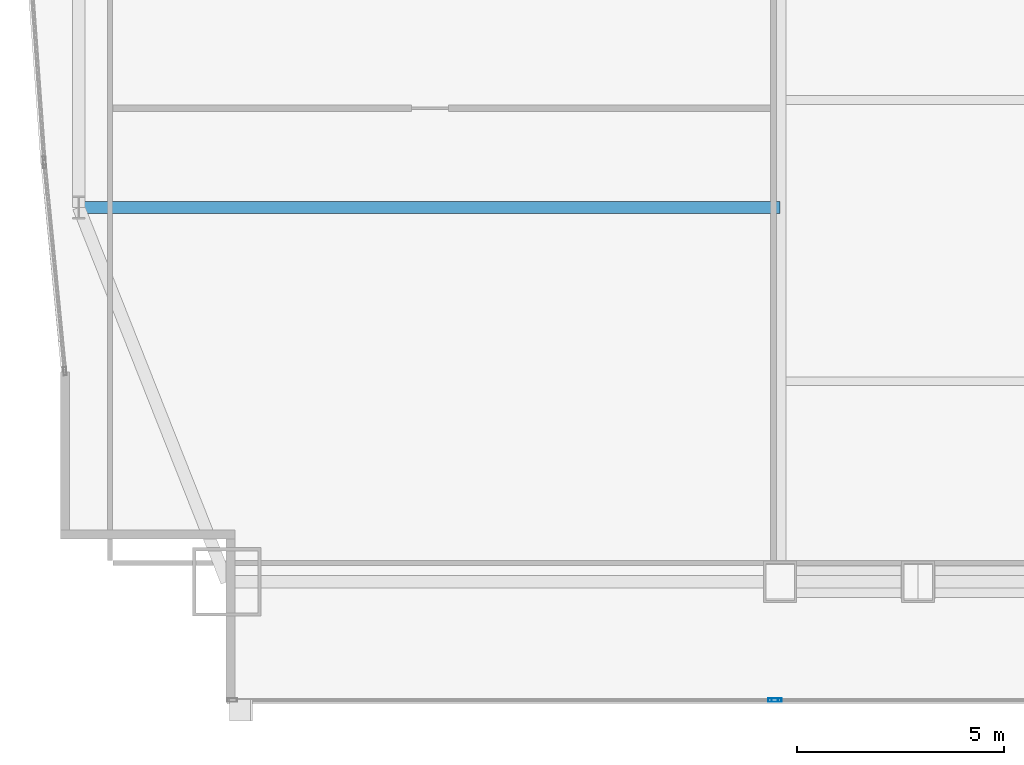
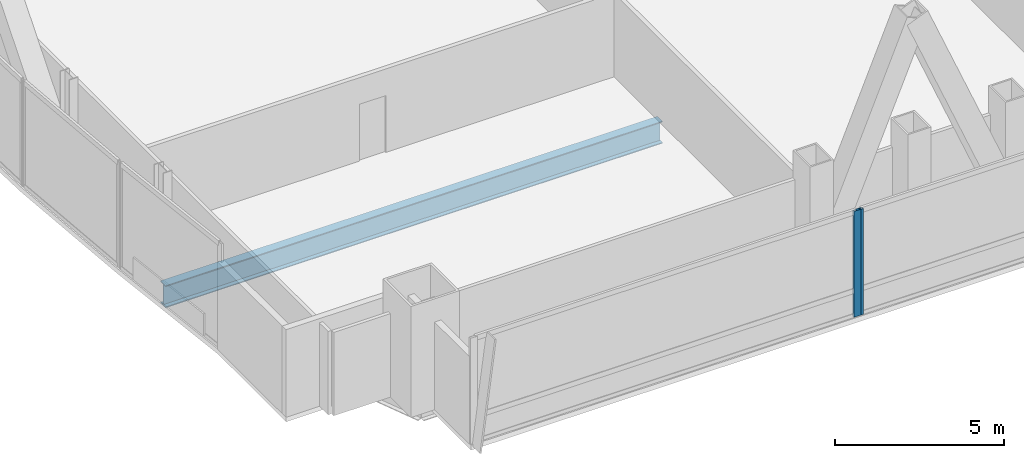
# One storey, part 7 of 33: 2 members, 1 beam, 2 elements without a shape of their own.
"""IFC4 building model written with IfcOpenShell, lengths in metres."""

from ifc_helpers import new_model, si_unit, direction, frame, origin, origin_2d, place, context, subcontext, project, spatial, hollow_rectangle, i_section, extrude, material, material_profile, profile_set, type_object, element, aggregate, save


model = new_model("IFC4")

# Units and contexts
model_context = context("Model", 3, precision=1e-05, world=origin(), true_north=direction((0.0, 1.0)))
body_context = subcontext(model_context, "Body", "Model", "MODEL_VIEW")
ifc_project = project(units=[si_unit("LENGTHUNIT", "METRE"), si_unit("AREAUNIT", "SQUARE_METRE"), si_unit("VOLUMEUNIT", "CUBIC_METRE"), si_unit("PLANEANGLEUNIT", "RADIAN"), si_unit("MASSUNIT", "GRAM", prefix="KILO")], contexts=[model_context])

# Site, building, storey
site_placement = place(None, origin())
site = spatial("IfcSite", under=ifc_project, at=site_placement, CompositionType="ELEMENT")
building_placement = place(site_placement, origin())
building = spatial("IfcBuilding", under=site, at=building_placement, Name="Khoronbel Lancet Exchange", CompositionType="ELEMENT")
storey_placement = place(building_placement, frame((0.0, 0.0, 73.800048828125)))
storey = spatial("IfcBuildingStorey", under=building, at=storey_placement, Name="L17", CompositionType="ELEMENT", Elevation=73.800048828125)

# Beam
ifc_material_1 = material(Name="Steel S355", Category="steel")
ifc_material_profile_1 = material_profile(ifc_material_1, i_section(OverallWidth=0.300048828125, OverallDepth=0.800048828125, WebThickness=0.017578125, FlangeThickness=0.032958984375, at=origin_2d()), Name="HEB 800")
ifc_profile_set_1 = profile_set([ifc_material_profile_1], Name="Steel S355")
beam_type = type_object("IfcBeamType", Name="BM-BG2", PredefinedType="BEAM", material=ifc_profile_set_1)
beam_placement = place(storey_placement, frame((1.27001953125, 19.199951171875, -0.580078125), z_axis=(1.0, 0.0, 0.0), x_axis=(0.0, 1.0, 0.0)))
element("IfcBeam", 1, at=beam_placement, inside=storey, type_object=beam_type, Name="Level L17 west lens tie girder LG1W", PredefinedType="BEAM", context=body_context, shape_type="SweptSolid", body=[
    extrude(i_section(OverallWidth=0.300048828125, OverallDepth=0.800048828125, WebThickness=0.017578125, FlangeThickness=0.032958984375, at=origin_2d()), origin(), (0.0, 0.0, 1.0), 16.955078125),
])

# Curtain wall, member
ifc_material_2 = material(Name="Low-E Solar Control Insulating Glass", Category="glass")
curtain_wall_type = type_object("IfcCurtainWallType", Name="CW-1", PredefinedType="NOTDEFINED", material=ifc_material_2)
curtain_wall_1_placement = place(storey_placement, origin())
curtain_wall_1 = element("IfcCurtainWall", 2, at=curtain_wall_1_placement, inside=storey, type_object=curtain_wall_type, Name="Unitised curtain wall CW-L17-SWV", PredefinedType="NOTDEFINED")
ifc_material_3 = material(Name="Bronze-Anodised Aluminium 6063-T6", Category="aluminium")
ifc_material_profile_2 = material_profile(ifc_material_3, hollow_rectangle(XDim=0.0849609375, YDim=0.239990234375, WallThickness=0.006103515625, at=origin_2d()), Name="ALU MULLION 85x240")
ifc_profile_set_2 = profile_set([ifc_material_profile_2], Name="Bronze-Anodised Aluminium 6063-T6")
member_type = type_object("IfcMemberType", Name="MEM-CWM1", PredefinedType="MULLION", material=ifc_profile_set_2)
member_1_placement = place(storey_placement, frame((18.0576171875, 7.2900390625, 0.0), z_axis=(0.0, 0.0, 1.0), x_axis=(0.0, 1.0, 0.0)))
member_1 = element("IfcMember", 3, at=member_1_placement, type_object=member_type, Name="CW1 mullion 2", PredefinedType="MULLION", context=body_context, shape_type="SweptSolid", body=[
    extrude(hollow_rectangle(XDim=0.0849609375, YDim=0.239990234375, WallThickness=0.006103515625, at=origin_2d()), origin(), (0.0, 0.0, 1.0), 3.820068359375),
])
aggregate(curtain_wall_1, [member_1])

curtain_wall_2_placement = place(storey_placement, origin())
curtain_wall_2 = element("IfcCurtainWall", 4, at=curtain_wall_2_placement, inside=storey, type_object=curtain_wall_type, Name="Unitised curtain wall CW-L17-SWB", PredefinedType="NOTDEFINED")
member_2_placement = place(storey_placement, frame((18.142578125, 7.2900390625, 0.0), z_axis=(0.0, 0.0, 1.0), x_axis=(0.0, 1.0, 0.0)))
member_2 = element("IfcMember", 5, at=member_2_placement, type_object=member_type, Name="CW1 mullion 1", PredefinedType="MULLION", context=body_context, shape_type="SweptSolid", body=[
    extrude(hollow_rectangle(XDim=0.0849609375, YDim=0.239990234375, WallThickness=0.006103515625, at=origin_2d()), origin(), (0.0, 0.0, 1.0), 3.820068359375),
])
aggregate(curtain_wall_2, [member_2])

save(model, "model.ifc")
